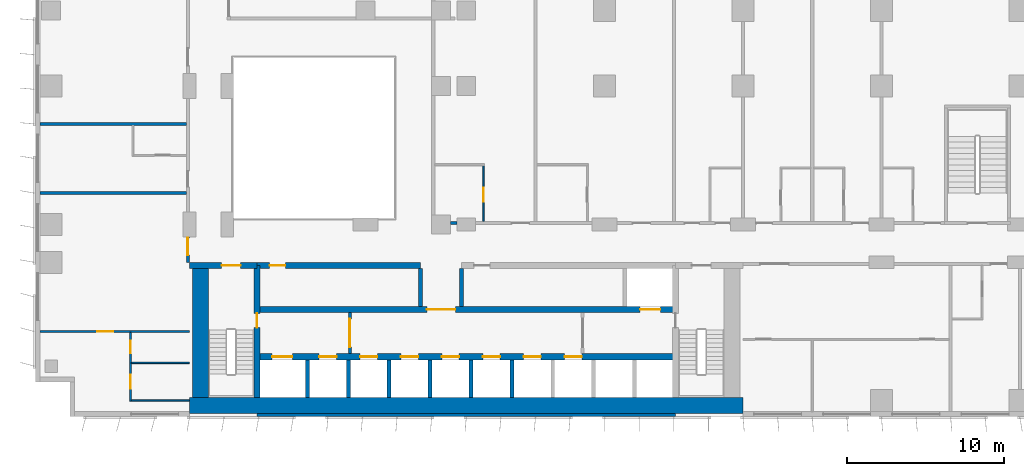
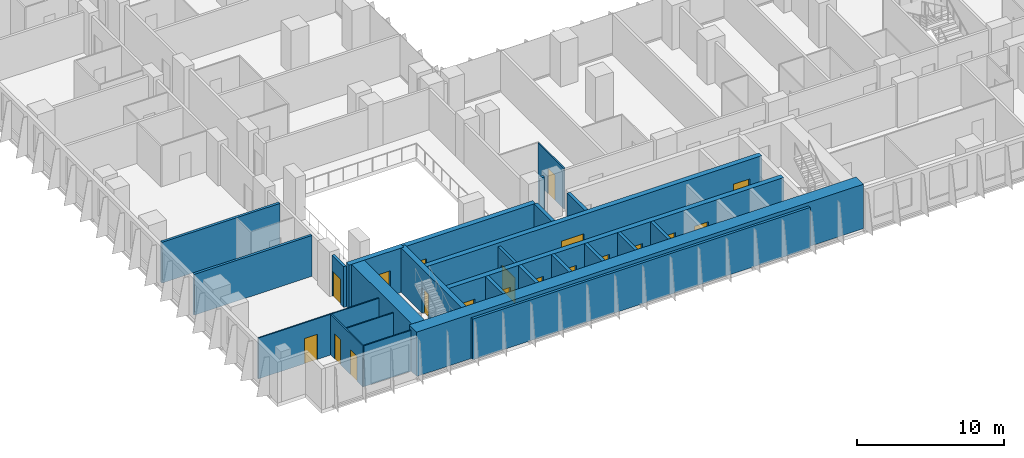
# One storey, part 12 of 24: 26 walls, 19 doors, 19 openings.
"""IFC4 building model written with IfcOpenShell, lengths in metres."""

import ifcopenshell
import ifcopenshell.guid

model = None  # the IFC model being written
_history = None  # IfcOwnerHistory: only IFC2X3 demands one
_inside = {}  # id of a spatial element -> (the spatial element, [elements in it])
_under = {}  # id of a project, library or spatial element -> (it, [spatial elements below it])
_declared = {}  # id of a project -> (the project, [libraries it declares])
_typed = {}  # id of a type object -> (the type object, [elements of that type])
_made_of = {}  # id of a material, layer set ... -> (it, [elements and type objects made of it])


def new_model(schema):
    """Start an empty IFC model of exactly this schema.

    Asked for "IFC4X3", IfcOpenShell would pick the latest addendum, in which some entities
    have other attributes; the version numbers below select the first issue.
    IFC2X3 requires an IfcOwnerHistory on every rooted entity: one is made here for all.
    """
    global model, _history
    if schema == "IFC4X3":
        model = ifcopenshell.file(schema_version=(4, 3, 0, 0))
    else:
        model = ifcopenshell.file(schema=schema)
    _inside.clear()
    _under.clear()
    _declared.clear()
    _typed.clear()
    _made_of.clear()
    _history = None
    if model.schema == "IFC2X3":
        org = make("IfcOrganization", Name="unknown")
        user = make(
            "IfcPersonAndOrganization",
            ThePerson=make("IfcPerson", FamilyName="unknown"),
            TheOrganization=org,
        )
        app = make(
            "IfcApplication",
            ApplicationDeveloper=org,
            Version="unknown",
            ApplicationFullName="unknown",
            ApplicationIdentifier="unknown",
        )
        _history = make(
            "IfcOwnerHistory",
            OwningUser=user,
            OwningApplication=app,
            ChangeAction="ADDED",
            CreationDate=0,
        )
    return model


def make(cls, **values):
    """One entity of the class cls with the attributes given. An attribute that is None is left unset."""
    return model.create_entity(
        cls, **{name: value for name, value in values.items() if value is not None}
    )


def rooted(cls, **values):
    """An entity with a GlobalId (a new one), such as an element, a storey or a relation."""
    return make(cls, GlobalId=ifcopenshell.guid.new(), OwnerHistory=_history, **values)


def si_unit(unit_type, name, prefix=None):
    """IfcSIUnit, for example si_unit("LENGTHUNIT", "METRE", prefix="MILLI")."""
    return make("IfcSIUnit", UnitType=unit_type, Prefix=prefix, Name=name)


def assignment(units):
    """IfcUnitAssignment: the units of a project."""
    return None if units is None else make("IfcUnitAssignment", Units=units)


def point(xyz):
    """IfcCartesianPoint."""
    return None if xyz is None else make("IfcCartesianPoint", Coordinates=xyz)


def direction(xyz):
    """IfcDirection."""
    return None if xyz is None else make("IfcDirection", DirectionRatios=xyz)


def frame(location, z_axis=None, x_axis=None):
    """IfcAxis2Placement3D, a coordinate frame: its origin and axes. An axis left out is left unset."""
    return make(
        "IfcAxis2Placement3D",
        Location=point(location),
        Axis=direction(z_axis),
        RefDirection=direction(x_axis),
    )


def frame_2d(location, x_axis=None):
    """IfcAxis2Placement2D, a coordinate frame in the plane: its origin and x axis."""
    return make(
        "IfcAxis2Placement2D", Location=point(location), RefDirection=direction(x_axis)
    )


def origin():
    """The frame at (0, 0, 0) with its axes left unset."""
    return frame((0.0, 0.0, 0.0))


def place(relative_to, where):
    """IfcLocalPlacement: puts the frame where relative to a parent placement (None: the world)."""
    return make(
        "IfcLocalPlacement", PlacementRelTo=relative_to, RelativePlacement=where
    )


def context(
    kind, dimensions, precision=None, world=None, true_north=None, identifier=None
):
    """IfcGeometricRepresentationContext, for example the 3D "Model" context."""
    return make(
        "IfcGeometricRepresentationContext",
        ContextIdentifier=identifier,
        ContextType=kind,
        CoordinateSpaceDimension=dimensions,
        Precision=precision,
        WorldCoordinateSystem=world,
        TrueNorth=true_north,
    )


def subcontext(parent, identifier, kind, view, scale=None):
    """IfcGeometricRepresentationSubContext, for example "Body" below "Model"."""
    return make(
        "IfcGeometricRepresentationSubContext",
        ContextIdentifier=identifier,
        ContextType=kind,
        ParentContext=parent,
        TargetScale=scale,
        TargetView=view,
    )


def project(units=None, contexts=None):
    """IfcProject with its units and contexts."""
    return rooted(
        "IfcProject",
        Name="project",
        RepresentationContexts=contexts,
        UnitsInContext=assignment(units),
    )


def spatial(cls, under=None, at=None, **own):
    """A site, building, storey or space (cls), placed at a placement, below another one or the project."""
    s = rooted(cls, ObjectPlacement=at, **own)
    if under is not None:
        _under.setdefault(under.id(), (under, []))[1].append(s)
    return s


def profile(cls, at=None, kind="AREA", **sizes):
    """A parametric profile (cls). Its sizes go by their IFC names, for example OverallWidth=200.0."""
    return make(cls, ProfileType=kind, Position=at, **sizes)


def rectangle(**sizes):
    """IfcRectangleProfileDef."""
    return profile("IfcRectangleProfileDef", **sizes)


def extrude(swept, where, along, depth):
    """IfcExtrudedAreaSolid: the profile swept, set in the frame where, extruded along a direction by depth."""
    return make(
        "IfcExtrudedAreaSolid",
        SweptArea=swept,
        Position=where,
        ExtrudedDirection=direction(along),
        Depth=depth,
    )


def shape(context_of_items, identifier, shape_type, items):
    """IfcShapeRepresentation: the items that make up one representation, for example the "Body"."""
    return make(
        "IfcShapeRepresentation",
        ContextOfItems=context_of_items,
        RepresentationIdentifier=identifier,
        RepresentationType=shape_type,
        Items=items,
    )


def material(Name=None, Category=None):
    """IfcMaterial."""
    return make("IfcMaterial", Name=Name, Category=Category)


def layer(
    of_material, thickness, ventilated=None, Name=None, Category=None, Priority=None
):
    """IfcMaterialLayer: one layer of a wall or slab, of a material (None: an air gap)."""
    return make(
        "IfcMaterialLayer",
        Material=of_material,
        LayerThickness=thickness,
        IsVentilated=ventilated,
        Name=Name,
        Category=Category,
        Priority=Priority,
    )


def layer_set(layers, Name=None):
    """IfcMaterialLayerSet."""
    return make("IfcMaterialLayerSet", MaterialLayers=layers, LayerSetName=Name)


def made_of(thing, what):
    """Note that an element or type object is made of a material, layer set ...; save() writes the relation."""
    if what is not None:
        _made_of.setdefault(what.id(), (what, []))[1].append(thing)
    return thing


def type_object(cls, material=None, **own):
    """A type object (cls), such as IfcWallType, which elements share."""
    return made_of(rooted(cls, **own), material)


def element(
    cls,
    number,
    at=None,
    inside=None,
    cuts=None,
    type_object=None,
    material=None,
    context=None,
    identifier="Body",
    shape_type=None,
    held_by="IfcProductDefinitionShape",
    body=None,
    shapes=None,
    **own,
):
    """One element of the class cls, such as IfcWall. Its Tag is "e" and its number.

    at: its placement. inside: the storey or other place that contains it. cuts: it is an
    opening in that element (IfcRelVoidsElement). A single representation is given by context,
    identifier, shape_type and body (its items); several are given by shapes. held_by: the class
    of the entity that holds the representations. save() writes the other relations.
    """
    e = rooted(cls, Tag="e%d" % number, ObjectPlacement=at, **own)
    if body is not None:
        shapes = [shape(context, identifier, shape_type, body)]
    if shapes is not None:
        e.Representation = make(held_by, Representations=shapes)
    if inside is not None:
        _inside.setdefault(inside.id(), (inside, []))[1].append(e)
    if cuts is not None:
        rooted(
            "IfcRelVoidsElement", RelatingBuildingElement=cuts, RelatedOpeningElement=e
        )
    if type_object is not None:
        _typed.setdefault(type_object.id(), (type_object, []))[1].append(e)
    return made_of(e, material)


def fill(opening, filler):
    """IfcRelFillsElement: the door or window that sits in an opening."""
    return rooted(
        "IfcRelFillsElement",
        RelatingOpeningElement=opening,
        RelatedBuildingElement=filler,
    )


def aggregate(whole, parts):
    """IfcRelAggregates: a whole, such as a stair, and the parts it consists of."""
    return rooted("IfcRelAggregates", RelatingObject=whole, RelatedObjects=parts)


def save(model, path):
    """Write the relations noted so far, then the file.

    IfcRelAggregates (storeys below a building ...), IfcRelContainedInSpatialStructure (elements
    in a storey), IfcRelDefinesByType, IfcRelAssociatesMaterial and IfcRelDeclares: one each for
    every whole, place, type object, material and project.
    """
    for whole, parts in _under.values():
        aggregate(whole, parts)
    for where, things in _inside.values():
        rooted(
            "IfcRelContainedInSpatialStructure",
            RelatedElements=things,
            RelatingStructure=where,
        )
    for kind, things in _typed.values():
        rooted("IfcRelDefinesByType", RelatedObjects=things, RelatingType=kind)
    for what, things in _made_of.values():
        rooted("IfcRelAssociatesMaterial", RelatedObjects=things, RelatingMaterial=what)
    for by, libraries in _declared.values():
        rooted("IfcRelDeclares", RelatingContext=by, RelatedDefinitions=libraries)
    model.write(path)


model = new_model("IFC4")

# Units and contexts
model_context = context("Model", 3, precision=1e-05, world=origin(), true_north=direction((0.0, 1.0)))
body_context = subcontext(model_context, "Body", "Model", "MODEL_VIEW")
ifc_project = project(units=[si_unit("LENGTHUNIT", "METRE"), si_unit("AREAUNIT", "SQUARE_METRE"), si_unit("VOLUMEUNIT", "CUBIC_METRE"), si_unit("PLANEANGLEUNIT", "RADIAN"), si_unit("MASSUNIT", "GRAM", prefix="KILO")], contexts=[model_context])

# Site, building, storey
site_placement = place(None, origin())
site = spatial("IfcSite", under=ifc_project, at=site_placement, CompositionType="ELEMENT")
building_placement = place(site_placement, origin())
building = spatial("IfcBuilding", under=site, at=building_placement, Name="Kemantara Hotel Tower", CompositionType="ELEMENT")
storey_placement = place(building_placement, frame((0.0, 0.0, 52.5)))
storey = spatial("IfcBuildingStorey", under=building, at=storey_placement, Name="L11", CompositionType="ELEMENT", Elevation=52.5)

# Walls
ifc_material_1 = material(Name="Bronze anodised aluminium cladding on insulated steel stud wall", Category="steel")
ifc_layer_1 = layer(ifc_material_1, 0.199951171875)
ifc_layer_set_1 = layer_set([ifc_layer_1], Name="Bronze anodised aluminium cladding on insulated steel stud wall")
wall_type_1 = type_object("IfcWallType", Name="BRONZE METAL-CLAD EXTERNAL WALL 200", PredefinedType="STANDARD", material=ifc_layer_set_1)
wall_1_placement = place(storey_placement, frame((14.10009765625, 0.10009765625, 0.0), z_axis=(0.0, 0.0, 1.0), x_axis=(1.0, 0.0, 0.0)))
element("IfcWall", 1, at=wall_1_placement, inside=storey, type_object=wall_type_1, Name="EXTERNAL WALL L11 T1-R01-2", PredefinedType="STANDARD", context=body_context, shape_type="SweptSolid", body=[
    extrude(rectangle(XDim=26.599853515625, YDim=0.199951171875, at=frame_2d((13.2998046875, 0.0))), origin(), (0.0, 0.0, 1.0), 3.39990234375),
])
ifc_material_2 = material(Name="Concrete fc 70 MPa", Category="concrete")
ifc_layer_2 = layer(ifc_material_2, 1.0)
ifc_layer_set_2 = layer_set([ifc_layer_2], Name="Concrete fc 70 MPa")
wall_type_2 = type_object("IfcWallType", Name="CORE WALL 1000 FC70", PredefinedType="SHEAR", material=ifc_layer_set_2)
wall_2_placement = place(storey_placement, frame((9.800048828125, 0.699951171875, 0.0), z_axis=(0.0, 0.0, 1.0), x_axis=(1.0, 0.0, 0.0)))
element("IfcWall", 2, at=wall_2_placement, inside=storey, type_object=wall_type_2, Name="CORE WALL CW-S", PredefinedType="SHEAR", context=body_context, shape_type="SweptSolid", body=[
    extrude(rectangle(XDim=35.199951171875, YDim=1.0, at=frame_2d((17.60009765625, 0.0))), origin(), (0.0, 0.0, 1.0), 3.699951171875),
])
wall_3_placement = place(storey_placement, frame((10.5, 1.199951171875, 0.0), z_axis=(0.0, 0.0, 1.0), x_axis=(0.0, 1.0, 0.0)))
element("IfcWall", 3, at=wall_3_placement, inside=storey, type_object=wall_type_2, Name="CORE WALL CW-W", PredefinedType="SHEAR", context=body_context, shape_type="SweptSolid", body=[
    extrude(rectangle(XDim=8.60009765625, YDim=1.0, at=frame_2d((4.300048828125, 0.0))), origin(), (0.0, 0.0, 1.0), 3.699951171875),
])
ifc_layer_3 = layer(ifc_material_2, 0.25)
ifc_layer_set_3 = layer_set([ifc_layer_3], Name="Concrete fc 70 MPa")
wall_type_3 = type_object("IfcWallType", Name="CORE WALL 250 FC70", PredefinedType="SHEAR", material=ifc_layer_set_3)
for number, where, z_axis, x_axis, name in (
    (4, (17.300048828125, 1.199951171875, 0.0), (0.0, 0.0, 1.0), (0.0, 1.0, 0.0), "CORE WALL CW-DS17.3"),
    (5, (19.89990234375, 1.199951171875, 0.0), (0.0, 0.0, 1.0), (0.0, 1.0, 0.0), "CORE WALL CW-DS19.9"),
    (6, (22.5, 1.199951171875, 0.0), (0.0, 0.0, 1.0), (0.0, 1.0, 0.0), "CORE WALL CW-DS22.5"),
    (7, (25.10009765625, 1.199951171875, 0.0), (0.0, 0.0, 1.0), (0.0, 1.0, 0.0), "CORE WALL CW-DS25.1"),
    (8, (27.699951171875, 1.199951171875, 0.0), (0.0, 0.0, 1.0), (0.0, 1.0, 0.0), "CORE WALL CW-DS27.7"),
    (9, (30.300048828125, 1.199951171875, 0.0), (0.0, 0.0, 1.0), (0.0, 1.0, 0.0), "CORE WALL CW-DS30.3"),
):
    element("IfcWall", number, at=place(storey_placement, frame(where, z_axis=z_axis, x_axis=x_axis)), inside=storey, type_object=wall_type_3, Name=name, PredefinedType="SHEAR", context=body_context, shape_type="SweptSolid", body=[
        extrude(rectangle(XDim=2.400146484375, YDim=0.25, at=frame_2d((1.2001953125, 0.0))), origin(), (0.0, 0.0, 1.0), 3.699951171875),
    ])
for number, where, z_axis, x_axis, name in (
    (10, (24.5, 7.0, 0.0), (0.0, 0.0, 1.0), (0.0, 1.0, 0.0), "CORE WALL CW-DN24.5"),
    (11, (27.10009765625, 7.0, 0.0), (0.0, 0.0, 1.0), (0.0, 1.0, 0.0), "CORE WALL CW-DN27.1"),
):
    element("IfcWall", number, at=place(storey_placement, frame(where, z_axis=z_axis, x_axis=x_axis)), inside=storey, type_object=wall_type_3, Name=name, PredefinedType="SHEAR", context=body_context, shape_type="SweptSolid", body=[
        extrude(rectangle(XDim=2.39990234375, YDim=0.25, at=frame_2d((1.199951171875, 0.0))), origin(), (0.0, 0.0, 1.0), 3.699951171875),
    ])

# Wall, opening, door
ifc_layer_4 = layer(ifc_material_2, 0.39990234375)
ifc_layer_set_4 = layer_set([ifc_layer_4], Name="Concrete fc 70 MPa")
wall_type_4 = type_object("IfcWallType", Name="CORE WALL 400 FC70", PredefinedType="SHEAR", material=ifc_layer_set_4)
wall_4_placement = place(storey_placement, frame((9.800048828125, 9.60009765625, 0.0), z_axis=(0.0, 0.0, 1.0), x_axis=(1.0, 0.0, 0.0)))
wall_4 = element("IfcWall", 12, at=wall_4_placement, inside=storey, type_object=wall_type_4, Name="CORE WALL CW-N1", PredefinedType="SHEAR", context=body_context, shape_type="SweptSolid", body=[
    extrude(rectangle(XDim=4.300048828125, YDim=0.39990234375, at=frame_2d((2.14990234375, 0.0))), origin(), (0.0, 0.0, 1.0), 3.699951171875),
])
opening_1_placement = place(wall_4_placement, frame((2.050048828125, 0.0, 0.0)))
opening_1 = element("IfcOpeningElement", 13, at=opening_1_placement, cuts=wall_4, Name="Opening C09-ST1-C", PredefinedType="OPENING", context=body_context, shape_type="SweptSolid", body=[
    extrude(rectangle(XDim=1.199951171875, YDim=2.10009765625, at=frame_2d((0.60009765625, 1.050048828125))), frame((0.0, 0.2099609375, 0.0), z_axis=(0.0, -1.0, 0.0), x_axis=(1.0, 0.0, 0.0)), (0.0, 0.0, 1.0), 0.419921875),
])
ifc_material_3 = material(Name="Steel fire door", Category="steel")
door_type_1 = type_object("IfcDoorType", Name="Fire door FD90 1200 x 2100", OperationType="NOTDEFINED", PredefinedType="DOOR", material=ifc_material_3)
door_1_placement = place(opening_1_placement, frame((1.199951171875, 0.0, 0.0), z_axis=(0.0, 0.0, 1.0), x_axis=(-1.0, 0.0, 0.0)))
door_1 = element("IfcDoor", 14, at=door_1_placement, inside=storey, type_object=door_type_1, Name="Stair ST1 door to corridor", OperationType="SINGLE_SWING_LEFT", OverallHeight=2.10009765625, OverallWidth=1.199951171875, PredefinedType="DOOR", context=body_context, shape_type="SweptSolid", body=[
    extrude(rectangle(XDim=1.199951171875, YDim=2.10009765625, at=frame_2d((0.60009765625, 1.050048828125))), frame((0.0, 0.02490234375, 0.0), z_axis=(0.0, -1.0, 0.0), x_axis=(1.0, 0.0, 0.0)), (0.0, 0.0, 1.0), 0.050048828125),
])
fill(opening_1, door_1)

wall_5_placement = place(storey_placement, frame((14.10009765625, 9.60009765625, 0.0), z_axis=(0.0, 0.0, 1.0), x_axis=(1.0, 0.0, 0.0)))
wall_5 = element("IfcWall", 15, at=wall_5_placement, inside=storey, type_object=wall_type_4, Name="CORE WALL CW-NN1", PredefinedType="SHEAR", context=body_context, shape_type="SweptSolid", body=[
    extrude(rectangle(XDim=10.39990234375, YDim=0.39990234375, at=frame_2d((5.199951171875, 0.0))), origin(), (0.0, 0.0, 1.0), 3.699951171875),
])
opening_2_placement = place(wall_5_placement, frame((0.800048828125, 0.0, 0.0)))
opening_2 = element("IfcOpeningElement", 16, at=opening_2_placement, cuts=wall_5, Name="Opening C09-R-NW1", PredefinedType="OPENING", context=body_context, shape_type="SweptSolid", body=[
    extrude(rectangle(XDim=1.0, YDim=2.10009765625, at=frame_2d((0.5, 1.050048828125))), frame((0.0, 0.2099609375, 0.0), z_axis=(0.0, -1.0, 0.0), x_axis=(1.0, 0.0, 0.0)), (0.0, 0.0, 1.0), 0.419921875),
])
door_type_2 = type_object("IfcDoorType", Name="Fire door FD30S 1000 x 2100", OperationType="NOTDEFINED", PredefinedType="DOOR", material=ifc_material_3)
door_2_placement = place(opening_2_placement, frame((1.0, 0.0, 0.0), z_axis=(0.0, 0.0, 1.0), x_axis=(-1.0, 0.0, 0.0)))
door_2 = element("IfcDoor", 17, at=door_2_placement, inside=storey, type_object=door_type_2, Name="Housekeeping Store door", OperationType="SINGLE_SWING_RIGHT", OverallHeight=2.10009765625, OverallWidth=1.0, PredefinedType="DOOR", context=body_context, shape_type="SweptSolid", body=[
    extrude(rectangle(XDim=1.0, YDim=2.10009765625, at=frame_2d((0.5, 1.050048828125))), frame((0.0, 0.02490234375, 0.0), z_axis=(0.0, -1.0, 0.0), x_axis=(1.0, 0.0, 0.0)), (0.0, 0.0, 1.0), 0.050048828125),
])
fill(opening_2, door_2)

# Wall, openings, doors
wall_6_placement = place(storey_placement, frame((14.10009765625, 3.800048828125, 0.0), z_axis=(0.0, 0.0, 1.0), x_axis=(1.0, 0.0, 0.0)))
wall_6 = element("IfcWall", 18, at=wall_6_placement, inside=storey, type_object=wall_type_4, Name="CORE WALL CW-L1", PredefinedType="SHEAR", context=body_context, shape_type="SweptSolid", body=[
    extrude(rectangle(XDim=26.599853515625, YDim=0.39990234375, at=frame_2d((13.2998046875, 0.0))), origin(), (0.0, 0.0, 1.0), 3.699951171875),
])
opening_3_placement = place(wall_6_placement, frame((0.949951171875, 0.0, 0.0)))
opening_3 = element("IfcOpeningElement", 19, at=opening_3_placement, cuts=wall_6, Name="Opening C09-LD-FF1", PredefinedType="OPENING", context=body_context, shape_type="SweptSolid", body=[
    extrude(rectangle(XDim=1.300048828125, YDim=2.10009765625, at=frame_2d((0.64990234375, 1.050048828125))), frame((0.0, 0.2099609375, 0.0), z_axis=(0.0, -1.0, 0.0), x_axis=(1.0, 0.0, 0.0)), (0.0, 0.0, 1.0), 0.419921875),
])
opening_4_placement = place(wall_6_placement, frame((3.949951171875, 0.0, 0.0)))
opening_4 = element("IfcOpeningElement", 20, at=opening_4_placement, cuts=wall_6, Name="Opening C09-LD-SV1", PredefinedType="OPENING", context=body_context, shape_type="SweptSolid", body=[
    extrude(rectangle(XDim=1.10009765625, YDim=2.10009765625, at=frame_2d((0.550048828125, 1.050048828125))), frame((0.0, 0.2099609375, 0.0), z_axis=(0.0, -1.0, 0.0), x_axis=(1.0, 0.0, 0.0)), (0.0, 0.0, 1.0), 0.419921875),
])
opening_5_placement = place(wall_6_placement, frame((6.550048828125, 0.0, 0.0)))
opening_5 = element("IfcOpeningElement", 21, at=opening_5_placement, cuts=wall_6, Name="Opening C09-LD-SV2", PredefinedType="OPENING", context=body_context, shape_type="SweptSolid", body=[
    extrude(rectangle(XDim=1.10009765625, YDim=2.10009765625, at=frame_2d((0.550048828125, 1.050048828125))), frame((0.0, 0.2099609375, 0.0), z_axis=(0.0, -1.0, 0.0), x_axis=(1.0, 0.0, 0.0)), (0.0, 0.0, 1.0), 0.419921875),
])
opening_6_placement = place(wall_6_placement, frame((9.14990234375, 0.0, 0.0)))
opening_6 = element("IfcOpeningElement", 22, at=opening_6_placement, cuts=wall_6, Name="Opening C09-LD-SV3", PredefinedType="OPENING", context=body_context, shape_type="SweptSolid", body=[
    extrude(rectangle(XDim=1.10009765625, YDim=2.10009765625, at=frame_2d((0.550048828125, 1.050048828125))), frame((0.0, 0.2099609375, 0.0), z_axis=(0.0, -1.0, 0.0), x_axis=(1.0, 0.0, 0.0)), (0.0, 0.0, 1.0), 0.419921875),
])
opening_7_placement = place(wall_6_placement, frame((11.75, 0.0, 0.0)))
opening_7 = element("IfcOpeningElement", 23, at=opening_7_placement, cuts=wall_6, Name="Opening C09-LD-LR1", PredefinedType="OPENING", context=body_context, shape_type="SweptSolid", body=[
    extrude(rectangle(XDim=1.10009765625, YDim=2.10009765625, at=frame_2d((0.550048828125, 1.050048828125))), frame((0.0, 0.2099609375, 0.0), z_axis=(0.0, -1.0, 0.0), x_axis=(1.0, 0.0, 0.0)), (0.0, 0.0, 1.0), 0.419921875),
])
opening_8_placement = place(wall_6_placement, frame((14.35009765625, 0.0, 0.0)))
opening_8 = element("IfcOpeningElement", 24, at=opening_8_placement, cuts=wall_6, Name="Opening C09-LD-LR2", PredefinedType="OPENING", context=body_context, shape_type="SweptSolid", body=[
    extrude(rectangle(XDim=1.10009765625, YDim=2.10009765625, at=frame_2d((0.550048828125, 1.050048828125))), frame((0.0, 0.2099609375, 0.0), z_axis=(0.0, -1.0, 0.0), x_axis=(1.0, 0.0, 0.0)), (0.0, 0.0, 1.0), 0.419921875),
])
opening_9_placement = place(wall_6_placement, frame((16.949951171875, 0.0, 0.0)))
opening_9 = element("IfcOpeningElement", 25, at=opening_9_placement, cuts=wall_6, Name="Opening C09-LD-LR3", PredefinedType="OPENING", context=body_context, shape_type="SweptSolid", body=[
    extrude(rectangle(XDim=1.10009765625, YDim=2.10009765625, at=frame_2d((0.550048828125, 1.050048828125))), frame((0.0, 0.2099609375, 0.0), z_axis=(0.0, -1.0, 0.0), x_axis=(1.0, 0.0, 0.0)), (0.0, 0.0, 1.0), 0.419921875),
])
opening_10_placement = place(wall_6_placement, frame((19.550048828125, 0.0, 0.0)))
opening_10 = element("IfcOpeningElement", 26, at=opening_10_placement, cuts=wall_6, Name="Opening C09-LD-LR4", PredefinedType="OPENING", context=body_context, shape_type="SweptSolid", body=[
    extrude(rectangle(XDim=1.10009765625, YDim=2.10009765625, at=frame_2d((0.550048828125, 1.050048828125))), frame((0.0, 0.2099609375, 0.0), z_axis=(0.0, -1.0, 0.0), x_axis=(1.0, 0.0, 0.0)), (0.0, 0.0, 1.0), 0.419921875),
])
ifc_material_4 = material(Name="Stainless steel lift door", Category="steel")
door_type_3 = type_object("IfcDoorType", Name="Lift landing door 1100 x 2100 FD60", OperationType="DOUBLE_DOOR_SLIDING", PredefinedType="DOOR", material=ifc_material_4)
door_3_placement = place(opening_4_placement, origin())
door_3 = element("IfcDoor", 27, at=door_3_placement, inside=storey, type_object=door_type_3, Name="Lift SV1 landing door", OperationType="DOUBLE_DOOR_SLIDING", OverallHeight=2.10009765625, OverallWidth=1.10009765625, PredefinedType="DOOR", context=body_context, shape_type="SweptSolid", body=[
    extrude(rectangle(XDim=1.10009765625, YDim=2.10009765625, at=frame_2d((0.550048828125, 1.050048828125))), frame((0.0, 0.02490234375, 0.0), z_axis=(0.0, -1.0, 0.0), x_axis=(1.0, 0.0, 0.0)), (0.0, 0.0, 1.0), 0.050048828125),
])
fill(opening_4, door_3)
door_4_placement = place(opening_5_placement, origin())
door_4 = element("IfcDoor", 28, at=door_4_placement, inside=storey, type_object=door_type_3, Name="Lift SV2 landing door", OperationType="DOUBLE_DOOR_SLIDING", OverallHeight=2.10009765625, OverallWidth=1.10009765625, PredefinedType="DOOR", context=body_context, shape_type="SweptSolid", body=[
    extrude(rectangle(XDim=1.10009765625, YDim=2.10009765625, at=frame_2d((0.550048828125, 1.050048828125))), frame((0.0, 0.02490234375, 0.0), z_axis=(0.0, -1.0, 0.0), x_axis=(1.0, 0.0, 0.0)), (0.0, 0.0, 1.0), 0.050048828125),
])
fill(opening_5, door_4)
door_5_placement = place(opening_6_placement, origin())
door_5 = element("IfcDoor", 29, at=door_5_placement, inside=storey, type_object=door_type_3, Name="Lift SV3 landing door", OperationType="DOUBLE_DOOR_SLIDING", OverallHeight=2.10009765625, OverallWidth=1.10009765625, PredefinedType="DOOR", context=body_context, shape_type="SweptSolid", body=[
    extrude(rectangle(XDim=1.10009765625, YDim=2.10009765625, at=frame_2d((0.550048828125, 1.050048828125))), frame((0.0, 0.02490234375, 0.0), z_axis=(0.0, -1.0, 0.0), x_axis=(1.0, 0.0, 0.0)), (0.0, 0.0, 1.0), 0.050048828125),
])
fill(opening_6, door_5)
door_6_placement = place(opening_7_placement, origin())
door_6 = element("IfcDoor", 30, at=door_6_placement, inside=storey, type_object=door_type_3, Name="Lift LR1 landing door", OperationType="DOUBLE_DOOR_SLIDING", OverallHeight=2.10009765625, OverallWidth=1.10009765625, PredefinedType="DOOR", context=body_context, shape_type="SweptSolid", body=[
    extrude(rectangle(XDim=1.10009765625, YDim=2.10009765625, at=frame_2d((0.550048828125, 1.050048828125))), frame((0.0, 0.02490234375, 0.0), z_axis=(0.0, -1.0, 0.0), x_axis=(1.0, 0.0, 0.0)), (0.0, 0.0, 1.0), 0.050048828125),
])
fill(opening_7, door_6)
door_7_placement = place(opening_8_placement, origin())
door_7 = element("IfcDoor", 31, at=door_7_placement, inside=storey, type_object=door_type_3, Name="Lift LR2 landing door", OperationType="DOUBLE_DOOR_SLIDING", OverallHeight=2.10009765625, OverallWidth=1.10009765625, PredefinedType="DOOR", context=body_context, shape_type="SweptSolid", body=[
    extrude(rectangle(XDim=1.10009765625, YDim=2.10009765625, at=frame_2d((0.550048828125, 1.050048828125))), frame((0.0, 0.02490234375, 0.0), z_axis=(0.0, -1.0, 0.0), x_axis=(1.0, 0.0, 0.0)), (0.0, 0.0, 1.0), 0.050048828125),
])
fill(opening_8, door_7)
door_8_placement = place(opening_9_placement, origin())
door_8 = element("IfcDoor", 32, at=door_8_placement, inside=storey, type_object=door_type_3, Name="Lift LR3 landing door", OperationType="DOUBLE_DOOR_SLIDING", OverallHeight=2.10009765625, OverallWidth=1.10009765625, PredefinedType="DOOR", context=body_context, shape_type="SweptSolid", body=[
    extrude(rectangle(XDim=1.10009765625, YDim=2.10009765625, at=frame_2d((0.550048828125, 1.050048828125))), frame((0.0, 0.02490234375, 0.0), z_axis=(0.0, -1.0, 0.0), x_axis=(1.0, 0.0, 0.0)), (0.0, 0.0, 1.0), 0.050048828125),
])
fill(opening_9, door_8)
door_9_placement = place(opening_10_placement, origin())
door_9 = element("IfcDoor", 33, at=door_9_placement, inside=storey, type_object=door_type_3, Name="Lift LR4 landing door", OperationType="DOUBLE_DOOR_SLIDING", OverallHeight=2.10009765625, OverallWidth=1.10009765625, PredefinedType="DOOR", context=body_context, shape_type="SweptSolid", body=[
    extrude(rectangle(XDim=1.10009765625, YDim=2.10009765625, at=frame_2d((0.550048828125, 1.050048828125))), frame((0.0, 0.02490234375, 0.0), z_axis=(0.0, -1.0, 0.0), x_axis=(1.0, 0.0, 0.0)), (0.0, 0.0, 1.0), 0.050048828125),
])
fill(opening_10, door_9)
door_type_4 = type_object("IfcDoorType", Name="Lift landing door 1300 x 2100 FD90", OperationType="DOUBLE_DOOR_SLIDING", PredefinedType="DOOR", material=ifc_material_4)
door_10_placement = place(opening_3_placement, origin())
door_10 = element("IfcDoor", 34, at=door_10_placement, inside=storey, type_object=door_type_4, Name="Lift FF1 landing door", OperationType="DOUBLE_DOOR_SLIDING", OverallHeight=2.10009765625, OverallWidth=1.300048828125, PredefinedType="DOOR", context=body_context, shape_type="SweptSolid", body=[
    extrude(rectangle(XDim=1.300048828125, YDim=2.10009765625, at=frame_2d((0.64990234375, 1.050048828125))), frame((0.0, 0.02490234375, 0.0), z_axis=(0.0, -1.0, 0.0), x_axis=(1.0, 0.0, 0.0)), (0.0, 0.0, 1.0), 0.050048828125),
])
fill(opening_3, door_10)

wall_7_placement = place(storey_placement, frame((14.10009765625, 6.800048828125, 0.0), z_axis=(0.0, 0.0, 1.0), x_axis=(1.0, 0.0, 0.0)))
wall_7 = element("IfcWall", 35, at=wall_7_placement, inside=storey, type_object=wall_type_4, Name="CORE WALL CW-L2", PredefinedType="SHEAR", context=body_context, shape_type="SweptSolid", body=[
    extrude(rectangle(XDim=26.599853515625, YDim=0.39990234375, at=frame_2d((13.2998046875, 0.0))), origin(), (0.0, 0.0, 1.0), 3.699951171875),
])
opening_11_placement = place(wall_7_placement, frame((10.800048828125, 0.0, 0.0)))
opening_11 = element("IfcOpeningElement", 36, at=opening_11_placement, cuts=wall_7, Name="Opening C09-VL", PredefinedType="OPENING", context=body_context, shape_type="SweptSolid", body=[
    extrude(rectangle(XDim=1.800048828125, YDim=2.10009765625, at=frame_2d((0.89990234375, 1.050048828125))), frame((0.0, 0.2099609375, 0.0), z_axis=(0.0, -1.0, 0.0), x_axis=(1.0, 0.0, 0.0)), (0.0, 0.0, 1.0), 0.419921875),
])
opening_12_placement = place(wall_7_placement, frame((24.35009765625, 0.0, 0.0)))
opening_12 = element("IfcOpeningElement", 37, at=opening_12_placement, cuts=wall_7, Name="Opening C09-LD-FF2", PredefinedType="OPENING", context=body_context, shape_type="SweptSolid", body=[
    extrude(rectangle(XDim=1.300048828125, YDim=2.10009765625, at=frame_2d((0.64990234375, 1.050048828125))), frame((0.0, 0.2099609375, 0.0), z_axis=(0.0, -1.0, 0.0), x_axis=(1.0, 0.0, 0.0)), (0.0, 0.0, 1.0), 0.419921875),
])
door_type_5 = type_object("IfcDoorType", Name="Fire door pair FD60 1800 x 2100", OperationType="DOUBLE_DOOR_SINGLE_SWING", PredefinedType="DOOR", material=ifc_material_3)
door_11_placement = place(opening_11_placement, frame((1.800048828125, 0.0, 0.0), z_axis=(0.0, 0.0, 1.0), x_axis=(-1.0, 0.0, 0.0)))
door_11 = element("IfcDoor", 38, at=door_11_placement, inside=storey, type_object=door_type_5, Name="Lift lobby entry door", OperationType="DOUBLE_DOOR_SINGLE_SWING", OverallHeight=2.10009765625, OverallWidth=1.800048828125, PredefinedType="DOOR", context=body_context, shape_type="SweptSolid", body=[
    extrude(rectangle(XDim=1.800048828125, YDim=2.10009765625, at=frame_2d((0.89990234375, 1.050048828125))), frame((0.0, 0.02490234375, 0.0), z_axis=(0.0, -1.0, 0.0), x_axis=(1.0, 0.0, 0.0)), (0.0, 0.0, 1.0), 0.050048828125),
])
fill(opening_11, door_11)
door_12_placement = place(opening_12_placement, origin())
door_12 = element("IfcDoor", 39, at=door_12_placement, inside=storey, type_object=door_type_4, Name="Lift FF2 landing door", OperationType="DOUBLE_DOOR_SLIDING", OverallHeight=2.10009765625, OverallWidth=1.300048828125, PredefinedType="DOOR", context=body_context, shape_type="SweptSolid", body=[
    extrude(rectangle(XDim=1.300048828125, YDim=2.10009765625, at=frame_2d((0.64990234375, 1.050048828125))), frame((0.0, 0.02490234375, 0.0), z_axis=(0.0, -1.0, 0.0), x_axis=(1.0, 0.0, 0.0)), (0.0, 0.0, 1.0), 0.050048828125),
])
fill(opening_12, door_12)

# Wall, opening, door
wall_8_placement = place(storey_placement, frame((14.10009765625, 1.199951171875, 0.0), z_axis=(0.0, 0.0, 1.0), x_axis=(0.0, 1.0, 0.0)))
wall_8 = element("IfcWall", 40, at=wall_8_placement, inside=storey, type_object=wall_type_4, Name="CORE WALL CW-ST1E", PredefinedType="SHEAR", context=body_context, shape_type="SweptSolid", body=[
    extrude(rectangle(XDim=8.400146484375, YDim=0.39990234375, at=frame_2d((4.2001953125, 0.0))), origin(), (0.0, 0.0, 1.0), 3.699951171875),
])
opening_13_placement = place(wall_8_placement, frame((4.449951171875, 0.0, 0.0)))
opening_13 = element("IfcOpeningElement", 41, at=opening_13_placement, cuts=wall_8, Name="Opening C09-ST1-F", PredefinedType="OPENING", context=body_context, shape_type="SweptSolid", body=[
    extrude(rectangle(XDim=0.89990234375, YDim=2.10009765625, at=frame_2d((0.449951171875, 1.050048828125))), frame((0.0, 0.2099609375, 0.0), z_axis=(0.0, -1.0, 0.0), x_axis=(1.0, 0.0, 0.0)), (0.0, 0.0, 1.0), 0.419921875),
])
door_type_6 = type_object("IfcDoorType", Name="Fire door FD90 900 x 2100", OperationType="NOTDEFINED", PredefinedType="DOOR", material=ifc_material_3)
door_13_placement = place(opening_13_placement, origin())
door_13 = element("IfcDoor", 42, at=door_13_placement, inside=storey, type_object=door_type_6, Name="Stair ST1 door to firefighting lobby", OperationType="SINGLE_SWING_RIGHT", OverallHeight=2.10009765625, OverallWidth=0.89990234375, PredefinedType="DOOR", context=body_context, shape_type="SweptSolid", body=[
    extrude(rectangle(XDim=0.89990234375, YDim=2.10009765625, at=frame_2d((0.449951171875, 1.050048828125))), frame((0.0, 0.02490234375, 0.0), z_axis=(0.0, -1.0, 0.0), x_axis=(1.0, 0.0, 0.0)), (0.0, 0.0, 1.0), 0.050048828125),
])
fill(opening_13, door_13)

# Wall
ifc_material_5 = material(Name="Gypsum board partition, steel studs and mineral wool, 200 mm", Category="steel")
ifc_layer_5 = layer(ifc_material_5, 0.199951171875)
ifc_layer_set_5 = layer_set([ifc_layer_5], Name="Gypsum board partition, steel studs and mineral wool, 200 mm")
wall_type_5 = type_object("IfcWallType", Name="CORRIDOR WALL 200", PredefinedType="PARTITIONING", material=ifc_layer_set_5)
wall_9_placement = place(storey_placement, frame((26.400146484375, 12.300048828125, 0.0), z_axis=(0.0, 0.0, 1.0), x_axis=(1.0, 0.0, 0.0)))
element("IfcWall", 43, at=wall_9_placement, inside=storey, type_object=wall_type_5, Name="CORRIDOR WALL 200 010", PredefinedType="PARTITIONING", context=body_context, shape_type="SweptSolid", body=[
    extrude(rectangle(XDim=0.399658203125, YDim=0.199951171875, at=frame_2d((0.19970703125, 0.0))), origin(), (0.0, 0.0, 1.0), 3.39990234375),
])

# Wall, opening, door
wall_10_placement = place(storey_placement, frame((9.699951171875, 9.800048828125, 0.0), z_axis=(0.0, 0.0, 1.0), x_axis=(0.0, 1.0, 0.0)))
wall_10 = element("IfcWall", 44, at=wall_10_placement, inside=storey, type_object=wall_type_5, Name="CORRIDOR WALL 200 027", PredefinedType="PARTITIONING", context=body_context, shape_type="SweptSolid", body=[
    extrude(rectangle(XDim=1.599853515625, YDim=0.199951171875, at=frame_2d((0.7998046875, 0.0))), origin(), (0.0, 0.0, 1.0), 3.39990234375),
])
opening_14_placement = place(wall_10_placement, frame((0.449951171875, 0.0, 0.0)))
opening_14 = element("IfcOpeningElement", 45, at=opening_14_placement, cuts=wall_10, Name="Opening F03-030", PredefinedType="OPENING", context=body_context, shape_type="SweptSolid", body=[
    extrude(rectangle(XDim=1.10009765625, YDim=2.10009765625, at=frame_2d((0.550048828125, 1.050048828125))), frame((0.0, 0.10986328125, 0.0), z_axis=(0.0, -1.0, 0.0), x_axis=(1.0, 0.0, 0.0)), (0.0, 0.0, 1.0), 0.219970703125),
])
ifc_material_6 = material(Name="Hardwood veneer door leaf with steel frame", Category="steel")
door_type_7 = type_object("IfcDoorType", Name="SUITE ENTRANCE DOOR 1100 X 2100 FD30S", OperationType="NOTDEFINED", PredefinedType="DOOR", material=ifc_material_6)
door_14_placement = place(opening_14_placement, origin())
door_14 = element("IfcDoor", 46, at=door_14_placement, inside=storey, type_object=door_type_7, Name="SUITE ENTRANCE DOOR F03-030", OperationType="SINGLE_SWING_RIGHT", OverallHeight=2.10009765625, OverallWidth=1.10009765625, PredefinedType="DOOR", context=body_context, shape_type="SweptSolid", body=[
    extrude(rectangle(XDim=1.10009765625, YDim=2.10009765625, at=frame_2d((0.550048828125, 1.050048828125))), frame((0.0, 0.02490234375, 0.0), z_axis=(0.0, -1.0, 0.0), x_axis=(1.0, 0.0, 0.0)), (0.0, 0.0, 1.0), 0.050048828125),
])
fill(opening_14, door_14)

# Walls
ifc_layer_6 = layer(ifc_material_5, 0.199951171875)
ifc_layer_set_6 = layer_set([ifc_layer_6], Name="Gypsum board partition, steel studs and mineral wool, 200 mm")
wall_type_6 = type_object("IfcWallType", Name="GUEST ROOM PARTY WALL 200", PredefinedType="PARTITIONING", material=ifc_layer_set_6)
for number, where, z_axis, x_axis, name in (
    (47, (0.31005859375, 14.199951171875, 0.0), (0.0, 0.0, 1.0), (1.0, 0.0, 0.0), "GUEST ROOM PARTY WALL 200 036"),
    (48, (0.31005859375, 18.60009765625, 0.0), (0.0, 0.0, 1.0), (1.0, 0.0, 0.0), "GUEST ROOM PARTY WALL 200 037"),
):
    element("IfcWall", number, at=place(storey_placement, frame(where, z_axis=z_axis, x_axis=x_axis)), inside=storey, type_object=wall_type_6, Name=name, PredefinedType="PARTITIONING", context=body_context, shape_type="SweptSolid", body=[
        extrude(rectangle(XDim=9.2900390625, YDim=0.199951171875, at=frame_2d((4.64501953125, 0.0))), origin(), (0.0, 0.0, 1.0), 3.39990234375),
    ])

# Wall, opening, door
ifc_material_7 = material(Name="Gypsum board shaft wall")
ifc_layer_7 = layer(ifc_material_7, 0.199951171875)
ifc_layer_set_7 = layer_set([ifc_layer_7], Name="Gypsum board shaft wall")
wall_type_7 = type_object("IfcWallType", Name="Gypsum board shaft wall 200 mm", PredefinedType="PARTITIONING", material=ifc_layer_set_7)
wall_11_placement = place(storey_placement, frame((20.0, 4.0, 0.0), z_axis=(0.0, 0.0, 1.0), x_axis=(0.0, 1.0, 0.0)))
wall_11 = element("IfcWall", 49, at=wall_11_placement, inside=storey, type_object=wall_type_7, Name="Firefighting lobby partition west", PredefinedType="PARTITIONING", context=body_context, shape_type="SweptSolid", body=[
    extrude(rectangle(XDim=2.60009765625, YDim=0.199951171875, at=frame_2d((1.300048828125, 0.0))), origin(), (0.0, 0.0, 1.0), 3.39990234375),
])
opening_15_placement = place(wall_11_placement, frame((0.39990234375, 0.0, 0.0)))
opening_15 = element("IfcOpeningElement", 50, at=opening_15_placement, cuts=wall_11, Name="Opening C09-FFW", PredefinedType="OPENING", context=body_context, shape_type="SweptSolid", body=[
    extrude(rectangle(XDim=1.800048828125, YDim=2.10009765625, at=frame_2d((0.89990234375, 1.050048828125))), frame((0.0, 0.10986328125, 0.0), z_axis=(0.0, -1.0, 0.0), x_axis=(1.0, 0.0, 0.0)), (0.0, 0.0, 1.0), 0.219970703125),
])
door_15_placement = place(opening_15_placement, origin())
door_15 = element("IfcDoor", 51, at=door_15_placement, inside=storey, type_object=door_type_5, Name="Firefighting lobby door west", OperationType="DOUBLE_DOOR_SINGLE_SWING", OverallHeight=2.10009765625, OverallWidth=1.800048828125, PredefinedType="DOOR", context=body_context, shape_type="SweptSolid", body=[
    extrude(rectangle(XDim=1.800048828125, YDim=2.10009765625, at=frame_2d((0.89990234375, 1.050048828125))), frame((0.0, 0.02490234375, 0.0), z_axis=(0.0, -1.0, 0.0), x_axis=(1.0, 0.0, 0.0)), (0.0, 0.0, 1.0), 0.050048828125),
])
fill(opening_15, door_15)

ifc_material_8 = material(Name="Gypsum board partition on steel studs, 100 mm", Category="steel")
ifc_layer_8 = layer(ifc_material_8, 0.10009765625)
ifc_layer_set_8 = layer_set([ifc_layer_8], Name="Gypsum board partition on steel studs, 100 mm")
wall_type_8 = type_object("IfcWallType", Name="ROOM PARTITION 100", PredefinedType="PARTITIONING", material=ifc_layer_set_8)
wall_12_placement = place(storey_placement, frame((28.5, 12.39990234375, 0.0), z_axis=(0.0, 0.0, 1.0), x_axis=(0.0, 1.0, 0.0)))
wall_12 = element("IfcWall", 52, at=wall_12_placement, inside=storey, type_object=wall_type_8, Name="ROOM PARTITION 100 077", PredefinedType="PARTITIONING", context=body_context, shape_type="SweptSolid", body=[
    extrude(rectangle(XDim=3.550048828125, YDim=0.10009765625, at=frame_2d((1.77490234375, 0.0))), origin(), (0.0, 0.0, 1.0), 3.39990234375),
])
opening_16_placement = place(wall_12_placement, frame((1.25, 0.0, 0.0)))
opening_16 = element("IfcOpeningElement", 53, at=opening_16_placement, cuts=wall_12, Name="Opening F03-013", PredefinedType="OPENING", context=body_context, shape_type="SweptSolid", body=[
    extrude(rectangle(XDim=0.89990234375, YDim=2.10009765625, at=frame_2d((0.449951171875, 1.050048828125))), frame((0.0, 0.06005859375, 0.0), z_axis=(0.0, -1.0, 0.0), x_axis=(1.0, 0.0, 0.0)), (0.0, 0.0, 1.0), 0.1201171875),
])
door_type_8 = type_object("IfcDoorType", Name="BATHROOM DOOR 900 X 2100", OperationType="NOTDEFINED", PredefinedType="DOOR", material=ifc_material_6)
door_16_placement = place(opening_16_placement, origin())
door_16 = element("IfcDoor", 54, at=door_16_placement, inside=storey, type_object=door_type_8, Name="BATHROOM DOOR F03-013", OperationType="SINGLE_SWING_LEFT", OverallHeight=2.10009765625, OverallWidth=0.89990234375, PredefinedType="DOOR", context=body_context, shape_type="SweptSolid", body=[
    extrude(rectangle(XDim=0.89990234375, YDim=2.10009765625, at=frame_2d((0.449951171875, 1.050048828125))), frame((0.0, 0.02490234375, 0.0), z_axis=(0.0, -1.0, 0.0), x_axis=(1.0, 0.0, 0.0)), (0.0, 0.0, 1.0), 0.050048828125),
])
fill(opening_16, door_16)

# Wall, openings, doors
wall_13_placement = place(storey_placement, frame((6.050048828125, 5.35009765625, 0.0), z_axis=(0.0, 0.0, 1.0), x_axis=(0.0, -1.0, 0.0)))
wall_13 = element("IfcWall", 55, at=wall_13_placement, inside=storey, type_object=wall_type_8, Name="ROOM PARTITION 100 091", PredefinedType="PARTITIONING", context=body_context, shape_type="SweptSolid", body=[
    extrude(rectangle(XDim=4.400146484375, YDim=0.10009765625, at=frame_2d((2.2001953125, 0.0))), origin(), (0.0, 0.0, 1.0), 3.39990234375),
])
opening_17_placement = place(wall_13_placement, frame((2.699951171875, 0.0, 0.0)))
opening_17 = element("IfcOpeningElement", 56, at=opening_17_placement, cuts=wall_13, Name="Opening F03-032", PredefinedType="OPENING", context=body_context, shape_type="SweptSolid", body=[
    extrude(rectangle(XDim=0.89990234375, YDim=2.10009765625, at=frame_2d((0.449951171875, 1.050048828125))), frame((0.0, 0.06005859375, 0.0), z_axis=(0.0, -1.0, 0.0), x_axis=(1.0, 0.0, 0.0)), (0.0, 0.0, 1.0), 0.1201171875),
])
opening_18_placement = place(wall_13_placement, frame((0.550048828125, 0.0, 0.0)))
opening_18 = element("IfcOpeningElement", 57, at=opening_18_placement, cuts=wall_13, Name="Opening F03-033", PredefinedType="OPENING", context=body_context, shape_type="SweptSolid", body=[
    extrude(rectangle(XDim=0.800048828125, YDim=2.10009765625, at=frame_2d((0.39990234375, 1.050048828125))), frame((0.0, 0.06005859375, 0.0), z_axis=(0.0, -1.0, 0.0), x_axis=(1.0, 0.0, 0.0)), (0.0, 0.0, 1.0), 0.1201171875),
])
door_17_placement = place(opening_17_placement, origin())
door_17 = element("IfcDoor", 58, at=door_17_placement, inside=storey, type_object=door_type_8, Name="BATHROOM DOOR F03-032", OperationType="SINGLE_SWING_LEFT", OverallHeight=2.10009765625, OverallWidth=0.89990234375, PredefinedType="DOOR", context=body_context, shape_type="SweptSolid", body=[
    extrude(rectangle(XDim=0.89990234375, YDim=2.10009765625, at=frame_2d((0.449951171875, 1.050048828125))), frame((0.0, 0.02490234375, 0.0), z_axis=(0.0, -1.0, 0.0), x_axis=(1.0, 0.0, 0.0)), (0.0, 0.0, 1.0), 0.050048828125),
])
fill(opening_17, door_17)
door_type_9 = type_object("IfcDoorType", Name="WARDROBE DOOR 800 X 2100", OperationType="NOTDEFINED", PredefinedType="DOOR", material=ifc_material_6)
door_18_placement = place(opening_18_placement, origin())
door_18 = element("IfcDoor", 59, at=door_18_placement, inside=storey, type_object=door_type_9, Name="WARDROBE DOOR F03-033", OperationType="SINGLE_SWING_LEFT", OverallHeight=2.10009765625, OverallWidth=0.800048828125, PredefinedType="DOOR", context=body_context, shape_type="SweptSolid", body=[
    extrude(rectangle(XDim=0.800048828125, YDim=2.10009765625, at=frame_2d((0.39990234375, 1.050048828125))), frame((0.0, 0.02490234375, 0.0), z_axis=(0.0, -1.0, 0.0), x_axis=(1.0, 0.0, 0.0)), (0.0, 0.0, 1.0), 0.050048828125),
])
fill(opening_18, door_18)

# Wall, opening, door
wall_14_placement = place(storey_placement, frame((9.7998046875, 5.39990234375, 0.0), z_axis=(0.0, 0.0, 1.0), x_axis=(-1.0, 0.0, 0.0)))
wall_14 = element("IfcWall", 60, at=wall_14_placement, inside=storey, type_object=wall_type_8, Name="ROOM PARTITION 100 093", PredefinedType="PARTITIONING", context=body_context, shape_type="SweptSolid", body=[
    extrude(rectangle(XDim=9.48974609375, YDim=0.10009765625, at=frame_2d((4.744873046875, 0.0))), origin(), (0.0, 0.0, 1.0), 3.39990234375),
])
opening_19_placement = place(wall_14_placement, frame((4.849853515625, 0.0, 0.0)))
opening_19 = element("IfcOpeningElement", 61, at=opening_19_placement, cuts=wall_14, Name="Opening F03-031", PredefinedType="OPENING", context=body_context, shape_type="SweptSolid", body=[
    extrude(rectangle(XDim=1.0, YDim=2.10009765625, at=frame_2d((0.5, 1.050048828125))), frame((0.0, 0.06005859375, 0.0), z_axis=(0.0, -1.0, 0.0), x_axis=(1.0, 0.0, 0.0)), (0.0, 0.0, 1.0), 0.1201171875),
])
door_type_10 = type_object("IfcDoorType", Name="INTERNAL DOOR 1000 X 2100", OperationType="NOTDEFINED", PredefinedType="DOOR", material=ifc_material_6)
door_19_placement = place(opening_19_placement, origin())
door_19 = element("IfcDoor", 62, at=door_19_placement, inside=storey, type_object=door_type_10, Name="INTERNAL DOOR F03-031", OperationType="SINGLE_SWING_LEFT", OverallHeight=2.10009765625, OverallWidth=1.0, PredefinedType="DOOR", context=body_context, shape_type="SweptSolid", body=[
    extrude(rectangle(XDim=1.0, YDim=2.10009765625, at=frame_2d((0.5, 1.050048828125))), frame((0.0, 0.02490234375, 0.0), z_axis=(0.0, -1.0, 0.0), x_axis=(1.0, 0.0, 0.0)), (0.0, 0.0, 1.0), 0.050048828125),
])
fill(opening_19, door_19)

# Walls
for number, where, z_axis, x_axis, name in (
    (63, (6.10009765625, 1.0, 0.0), (0.0, 0.0, 1.0), (1.0, 0.0, 0.0), "ROOM PARTITION 100 094"),
    (64, (6.10009765625, 3.39990234375, 0.0), (0.0, 0.0, 1.0), (1.0, 0.0, 0.0), "ROOM PARTITION 100 095"),
):
    element("IfcWall", number, at=place(storey_placement, frame(where, z_axis=z_axis, x_axis=x_axis)), inside=storey, type_object=wall_type_8, Name=name, PredefinedType="PARTITIONING", context=body_context, shape_type="SweptSolid", body=[
        extrude(rectangle(XDim=3.69970703125, YDim=0.10009765625, at=frame_2d((1.849853515625, 0.0))), origin(), (0.0, 0.0, 1.0), 3.39990234375),
    ])

save(model, "model.ifc")
